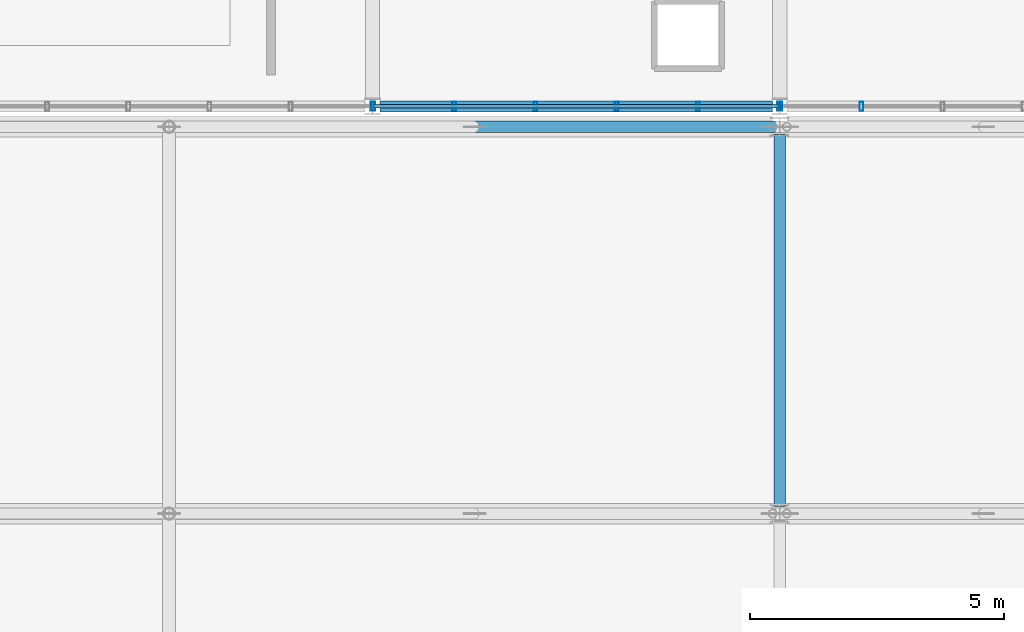
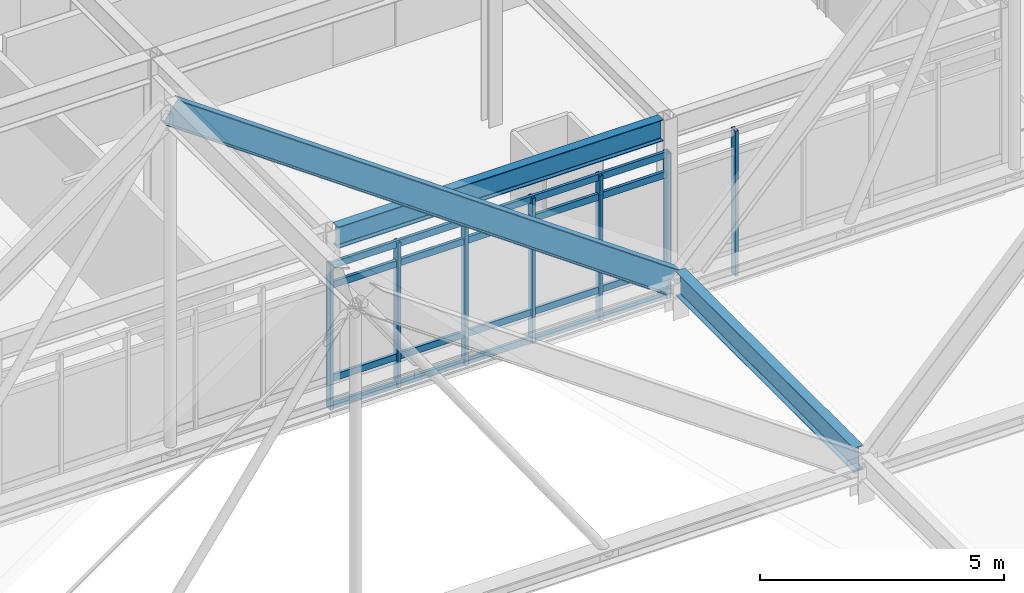
# One storey, part 59 of 100: 12 members, 3 beams, 2 elements without a shape of their own.
"""IFC4 building model written with IfcOpenShell, lengths in metres."""

import ifcopenshell
import ifcopenshell.guid

model = None  # the IFC model being written
_history = None  # IfcOwnerHistory: only IFC2X3 demands one
_inside = {}  # id of a spatial element -> (the spatial element, [elements in it])
_under = {}  # id of a project, library or spatial element -> (it, [spatial elements below it])
_declared = {}  # id of a project -> (the project, [libraries it declares])
_typed = {}  # id of a type object -> (the type object, [elements of that type])
_made_of = {}  # id of a material, layer set ... -> (it, [elements and type objects made of it])


def new_model(schema):
    """Start an empty IFC model of exactly this schema.

    Asked for "IFC4X3", IfcOpenShell would pick the latest addendum, in which some entities
    have other attributes; the version numbers below select the first issue.
    IFC2X3 requires an IfcOwnerHistory on every rooted entity: one is made here for all.
    """
    global model, _history
    if schema == "IFC4X3":
        model = ifcopenshell.file(schema_version=(4, 3, 0, 0))
    else:
        model = ifcopenshell.file(schema=schema)
    _inside.clear()
    _under.clear()
    _declared.clear()
    _typed.clear()
    _made_of.clear()
    _history = None
    if model.schema == "IFC2X3":
        org = make("IfcOrganization", Name="unknown")
        user = make(
            "IfcPersonAndOrganization",
            ThePerson=make("IfcPerson", FamilyName="unknown"),
            TheOrganization=org,
        )
        app = make(
            "IfcApplication",
            ApplicationDeveloper=org,
            Version="unknown",
            ApplicationFullName="unknown",
            ApplicationIdentifier="unknown",
        )
        _history = make(
            "IfcOwnerHistory",
            OwningUser=user,
            OwningApplication=app,
            ChangeAction="ADDED",
            CreationDate=0,
        )
    return model


def make(cls, **values):
    """One entity of the class cls with the attributes given. An attribute that is None is left unset."""
    return model.create_entity(
        cls, **{name: value for name, value in values.items() if value is not None}
    )


def rooted(cls, **values):
    """An entity with a GlobalId (a new one), such as an element, a storey or a relation."""
    return make(cls, GlobalId=ifcopenshell.guid.new(), OwnerHistory=_history, **values)


def si_unit(unit_type, name, prefix=None):
    """IfcSIUnit, for example si_unit("LENGTHUNIT", "METRE", prefix="MILLI")."""
    return make("IfcSIUnit", UnitType=unit_type, Prefix=prefix, Name=name)


def assignment(units):
    """IfcUnitAssignment: the units of a project."""
    return None if units is None else make("IfcUnitAssignment", Units=units)


def point(xyz):
    """IfcCartesianPoint."""
    return None if xyz is None else make("IfcCartesianPoint", Coordinates=xyz)


def direction(xyz):
    """IfcDirection."""
    return None if xyz is None else make("IfcDirection", DirectionRatios=xyz)


def frame(location, z_axis=None, x_axis=None):
    """IfcAxis2Placement3D, a coordinate frame: its origin and axes. An axis left out is left unset."""
    return make(
        "IfcAxis2Placement3D",
        Location=point(location),
        Axis=direction(z_axis),
        RefDirection=direction(x_axis),
    )


def frame_2d(location, x_axis=None):
    """IfcAxis2Placement2D, a coordinate frame in the plane: its origin and x axis."""
    return make(
        "IfcAxis2Placement2D", Location=point(location), RefDirection=direction(x_axis)
    )


def origin():
    """The frame at (0, 0, 0) with its axes left unset."""
    return frame((0.0, 0.0, 0.0))


def origin_2d():
    """The frame at (0, 0) in the plane with its x axis left unset."""
    return frame_2d((0.0, 0.0))


def place(relative_to, where):
    """IfcLocalPlacement: puts the frame where relative to a parent placement (None: the world)."""
    return make(
        "IfcLocalPlacement", PlacementRelTo=relative_to, RelativePlacement=where
    )


def context(
    kind, dimensions, precision=None, world=None, true_north=None, identifier=None
):
    """IfcGeometricRepresentationContext, for example the 3D "Model" context."""
    return make(
        "IfcGeometricRepresentationContext",
        ContextIdentifier=identifier,
        ContextType=kind,
        CoordinateSpaceDimension=dimensions,
        Precision=precision,
        WorldCoordinateSystem=world,
        TrueNorth=true_north,
    )


def subcontext(parent, identifier, kind, view, scale=None):
    """IfcGeometricRepresentationSubContext, for example "Body" below "Model"."""
    return make(
        "IfcGeometricRepresentationSubContext",
        ContextIdentifier=identifier,
        ContextType=kind,
        ParentContext=parent,
        TargetScale=scale,
        TargetView=view,
    )


def project(units=None, contexts=None):
    """IfcProject with its units and contexts."""
    return rooted(
        "IfcProject",
        Name="project",
        RepresentationContexts=contexts,
        UnitsInContext=assignment(units),
    )


def spatial(cls, under=None, at=None, **own):
    """A site, building, storey or space (cls), placed at a placement, below another one or the project."""
    s = rooted(cls, ObjectPlacement=at, **own)
    if under is not None:
        _under.setdefault(under.id(), (under, []))[1].append(s)
    return s


def profile(cls, at=None, kind="AREA", **sizes):
    """A parametric profile (cls). Its sizes go by their IFC names, for example OverallWidth=200.0."""
    return make(cls, ProfileType=kind, Position=at, **sizes)


def hollow_rectangle(**sizes):
    """IfcRectangleHollowProfileDef."""
    return profile("IfcRectangleHollowProfileDef", **sizes)


def i_section(**sizes):
    """IfcIShapeProfileDef."""
    return profile("IfcIShapeProfileDef", **sizes)


def extrude(swept, where, along, depth):
    """IfcExtrudedAreaSolid: the profile swept, set in the frame where, extruded along a direction by depth."""
    return make(
        "IfcExtrudedAreaSolid",
        SweptArea=swept,
        Position=where,
        ExtrudedDirection=direction(along),
        Depth=depth,
    )


def shape(context_of_items, identifier, shape_type, items):
    """IfcShapeRepresentation: the items that make up one representation, for example the "Body"."""
    return make(
        "IfcShapeRepresentation",
        ContextOfItems=context_of_items,
        RepresentationIdentifier=identifier,
        RepresentationType=shape_type,
        Items=items,
    )


def material(Name=None, Category=None):
    """IfcMaterial."""
    return make("IfcMaterial", Name=Name, Category=Category)


def material_profile(
    of_material, cross_section, Name=None, Category=None, Priority=None
):
    """IfcMaterialProfile: a cross section and its material."""
    return make(
        "IfcMaterialProfile",
        Name=Name,
        Material=of_material,
        Profile=cross_section,
        Priority=Priority,
        Category=Category,
    )


def profile_set(profiles, Name=None, composite=None):
    """IfcMaterialProfileSet."""
    return make(
        "IfcMaterialProfileSet",
        Name=Name,
        MaterialProfiles=profiles,
        CompositeProfile=composite,
    )


def made_of(thing, what):
    """Note that an element or type object is made of a material, layer set ...; save() writes the relation."""
    if what is not None:
        _made_of.setdefault(what.id(), (what, []))[1].append(thing)
    return thing


def type_object(cls, material=None, **own):
    """A type object (cls), such as IfcWallType, which elements share."""
    return made_of(rooted(cls, **own), material)


def element(
    cls,
    number,
    at=None,
    inside=None,
    cuts=None,
    type_object=None,
    material=None,
    context=None,
    identifier="Body",
    shape_type=None,
    held_by="IfcProductDefinitionShape",
    body=None,
    shapes=None,
    **own,
):
    """One element of the class cls, such as IfcWall. Its Tag is "e" and its number.

    at: its placement. inside: the storey or other place that contains it. cuts: it is an
    opening in that element (IfcRelVoidsElement). A single representation is given by context,
    identifier, shape_type and body (its items); several are given by shapes. held_by: the class
    of the entity that holds the representations. save() writes the other relations.
    """
    e = rooted(cls, Tag="e%d" % number, ObjectPlacement=at, **own)
    if body is not None:
        shapes = [shape(context, identifier, shape_type, body)]
    if shapes is not None:
        e.Representation = make(held_by, Representations=shapes)
    if inside is not None:
        _inside.setdefault(inside.id(), (inside, []))[1].append(e)
    if cuts is not None:
        rooted(
            "IfcRelVoidsElement", RelatingBuildingElement=cuts, RelatedOpeningElement=e
        )
    if type_object is not None:
        _typed.setdefault(type_object.id(), (type_object, []))[1].append(e)
    return made_of(e, material)


def aggregate(whole, parts):
    """IfcRelAggregates: a whole, such as a stair, and the parts it consists of."""
    return rooted("IfcRelAggregates", RelatingObject=whole, RelatedObjects=parts)


def save(model, path):
    """Write the relations noted so far, then the file.

    IfcRelAggregates (storeys below a building ...), IfcRelContainedInSpatialStructure (elements
    in a storey), IfcRelDefinesByType, IfcRelAssociatesMaterial and IfcRelDeclares: one each for
    every whole, place, type object, material and project.
    """
    for whole, parts in _under.values():
        aggregate(whole, parts)
    for where, things in _inside.values():
        rooted(
            "IfcRelContainedInSpatialStructure",
            RelatedElements=things,
            RelatingStructure=where,
        )
    for kind, things in _typed.values():
        rooted("IfcRelDefinesByType", RelatedObjects=things, RelatingType=kind)
    for what, things in _made_of.values():
        rooted("IfcRelAssociatesMaterial", RelatedObjects=things, RelatingMaterial=what)
    for by, libraries in _declared.values():
        rooted("IfcRelDeclares", RelatingContext=by, RelatedDefinitions=libraries)
    model.write(path)


model = new_model("IFC4")

# Units and contexts
model_context = context("Model", 3, precision=1e-05, world=origin(), true_north=direction((0.0, 1.0)))
body_context = subcontext(model_context, "Body", "Model", "MODEL_VIEW")
ifc_project = project(units=[si_unit("LENGTHUNIT", "METRE"), si_unit("AREAUNIT", "SQUARE_METRE"), si_unit("VOLUMEUNIT", "CUBIC_METRE"), si_unit("PLANEANGLEUNIT", "RADIAN"), si_unit("MASSUNIT", "GRAM", prefix="KILO")], contexts=[model_context])

# Site, building, storey
site_placement = place(None, origin())
site = spatial("IfcSite", under=ifc_project, at=site_placement, CompositionType="ELEMENT")
building_placement = place(site_placement, origin())
building = spatial("IfcBuilding", under=site, at=building_placement, Name="Zulena Civic Courthouse", CompositionType="ELEMENT")
storey_placement = place(building_placement, frame((0.0, 0.0, 20.39990234375)))
storey = spatial("IfcBuildingStorey", under=building, at=storey_placement, Name="L04", CompositionType="ELEMENT", Elevation=20.39990234375)

# Curtain wall, members
ifc_material_1 = material(Name="Double-silver low-E laminated solar-control glass", Category="glass")
curtain_wall_type = type_object("IfcCurtainWallType", Name="CW_7976x3635", PredefinedType="USERDEFINED", material=ifc_material_1)
curtain_wall_1_placement = place(storey_placement, origin())
curtain_wall_1 = element("IfcCurtainWall", 1, at=curtain_wall_1_placement, inside=storey, type_object=curtain_wall_type, Name="cw:V3:L04:3:0", ObjectType="UNITISED CURTAIN WALL", PredefinedType="USERDEFINED")
ifc_material_2 = material(Name="Bronze anodised thermally broken aluminium AA6063-T6", Category="aluminium")
ifc_material_profile_1 = material_profile(ifc_material_2, hollow_rectangle(XDim=0.074951171875, YDim=0.179931640625, WallThickness=0.0048828125, at=origin_2d()), Name="CWM180X75X5")
ifc_profile_set_1 = profile_set([ifc_material_profile_1], Name="Bronze anodised thermally broken aluminium AA6063-T6")
member_type_1 = type_object("IfcMemberType", Name="CWMullion_180x75", PredefinedType="MULLION", material=ifc_profile_set_1)
member_1_placement = place(storey_placement, frame((157.607177734375, 30.800048828125, 0.0), z_axis=(0.0, 0.0, 1.0), x_axis=(1.0, 0.0, 0.0)))
member_1 = element("IfcMember", 2, at=member_1_placement, type_object=member_type_1, Name="cw:V3:L04:3:0:mull:4", PredefinedType="MULLION", context=body_context, shape_type="SweptSolid", body=[
    extrude(hollow_rectangle(XDim=0.074951171875, YDim=0.179931640625, WallThickness=0.0048828125, at=origin_2d()), origin(), (0.0, 0.0, 1.0), 3.635009765625),
])
member_2_placement = place(storey_placement, frame((156.011962890625, 30.800048828125, 0.0), z_axis=(0.0, 0.0, 1.0), x_axis=(1.0, 0.0, 0.0)))
member_2 = element("IfcMember", 3, at=member_2_placement, type_object=member_type_1, Name="cw:V3:L04:3:0:mull:5", PredefinedType="MULLION", context=body_context, shape_type="SweptSolid", body=[
    extrude(hollow_rectangle(XDim=0.074951171875, YDim=0.179931640625, WallThickness=0.0048828125, at=origin_2d()), origin(), (0.0, 0.0, 1.0), 3.635009765625),
])
aggregate(curtain_wall_1, [member_1, member_2])

curtain_wall_2_placement = place(storey_placement, origin())
curtain_wall_2 = element("IfcCurtainWall", 4, at=curtain_wall_2_placement, inside=storey, type_object=curtain_wall_type, Name="cw:V3:L04:3:1", ObjectType="UNITISED CURTAIN WALL", PredefinedType="USERDEFINED")
member_3_placement = place(storey_placement, frame((155.988037109375, 30.800048828125, 0.0), z_axis=(0.0, 0.0, 1.0), x_axis=(1.0, 0.0, 0.0)))
member_3 = element("IfcMember", 5, at=member_3_placement, type_object=member_type_1, Name="cw:V3:L04:3:1:mull:0", PredefinedType="MULLION", context=body_context, shape_type="SweptSolid", body=[
    extrude(hollow_rectangle(XDim=0.074951171875, YDim=0.179931640625, WallThickness=0.0048828125, at=origin_2d()), origin(), (0.0, 0.0, 1.0), 3.635009765625),
])
member_4_placement = place(storey_placement, frame((154.392822265625, 30.800048828125, 0.0), z_axis=(0.0, 0.0, 1.0), x_axis=(1.0, 0.0, 0.0)))
member_4 = element("IfcMember", 6, at=member_4_placement, type_object=member_type_1, Name="cw:V3:L04:3:1:mull:1", PredefinedType="MULLION", context=body_context, shape_type="SweptSolid", body=[
    extrude(hollow_rectangle(XDim=0.074951171875, YDim=0.179931640625, WallThickness=0.0048828125, at=origin_2d()), origin(), (0.0, 0.0, 1.0), 3.635009765625),
])
member_5_placement = place(storey_placement, frame((152.797607421875, 30.800048828125, 0.0), z_axis=(0.0, 0.0, 1.0), x_axis=(1.0, 0.0, 0.0)))
member_5 = element("IfcMember", 7, at=member_5_placement, type_object=member_type_1, Name="cw:V3:L04:3:1:mull:2", PredefinedType="MULLION", context=body_context, shape_type="SweptSolid", body=[
    extrude(hollow_rectangle(XDim=0.074951171875, YDim=0.179931640625, WallThickness=0.0048828125, at=origin_2d()), origin(), (0.0, 0.0, 1.0), 3.635009765625),
])
member_6_placement = place(storey_placement, frame((151.202392578125, 30.800048828125, 0.0), z_axis=(0.0, 0.0, 1.0), x_axis=(1.0, 0.0, 0.0)))
member_6 = element("IfcMember", 8, at=member_6_placement, type_object=member_type_1, Name="cw:V3:L04:3:1:mull:3", PredefinedType="MULLION", context=body_context, shape_type="SweptSolid", body=[
    extrude(hollow_rectangle(XDim=0.074951171875, YDim=0.179931640625, WallThickness=0.0048828125, at=origin_2d()), origin(), (0.0, 0.0, 1.0), 3.635009765625),
])
member_7_placement = place(storey_placement, frame((149.607177734375, 30.800048828125, 0.0), z_axis=(0.0, 0.0, 1.0), x_axis=(1.0, 0.0, 0.0)))
member_7 = element("IfcMember", 9, at=member_7_placement, type_object=member_type_1, Name="cw:V3:L04:3:1:mull:4", PredefinedType="MULLION", context=body_context, shape_type="SweptSolid", body=[
    extrude(hollow_rectangle(XDim=0.074951171875, YDim=0.179931640625, WallThickness=0.0048828125, at=origin_2d()), origin(), (0.0, 0.0, 1.0), 3.635009765625),
])
member_8_placement = place(storey_placement, frame((148.011962890625, 30.800048828125, 0.0), z_axis=(0.0, 0.0, 1.0), x_axis=(1.0, 0.0, 0.0)))
member_8 = element("IfcMember", 10, at=member_8_placement, type_object=member_type_1, Name="cw:V3:L04:3:1:mull:5", PredefinedType="MULLION", context=body_context, shape_type="SweptSolid", body=[
    extrude(hollow_rectangle(XDim=0.074951171875, YDim=0.179931640625, WallThickness=0.0048828125, at=origin_2d()), origin(), (0.0, 0.0, 1.0), 3.635009765625),
])
ifc_material_profile_2 = material_profile(ifc_material_2, hollow_rectangle(XDim=0.070068359375, YDim=0.1650390625, WallThickness=0.00390625, at=origin_2d()), Name="CWT165X70X4")
ifc_profile_set_2 = profile_set([ifc_material_profile_2], Name="Bronze anodised thermally broken aluminium AA6063-T6")
member_type_2 = type_object("IfcMemberType", Name="CWTransom_165x70", PredefinedType="USERDEFINED", material=ifc_profile_set_2)
member_9_placement = place(storey_placement, frame((155.988037109375, 30.800048828125, 0.06005859375), z_axis=(-1.0, 0.0, 0.0), x_axis=(0.0, -1.0, 0.0)))
member_9 = element("IfcMember", 11, at=member_9_placement, type_object=member_type_2, Name="cw:V3:L04:3:1:tran:0", ObjectType="TRANSOM", PredefinedType="USERDEFINED", context=body_context, shape_type="SweptSolid", body=[
    extrude(hollow_rectangle(XDim=0.070068359375, YDim=0.1650390625, WallThickness=0.00390625, at=origin_2d()), origin(), (0.0, 0.0, 1.0), 7.97607421875),
])
member_10_placement = place(storey_placement, frame((155.988037109375, 30.800048828125, 0.75), z_axis=(-1.0, 0.0, 0.0), x_axis=(0.0, -1.0, 0.0)))
member_10 = element("IfcMember", 12, at=member_10_placement, type_object=member_type_2, Name="cw:V3:L04:3:1:tran:1", ObjectType="TRANSOM", PredefinedType="USERDEFINED", context=body_context, shape_type="SweptSolid", body=[
    extrude(hollow_rectangle(XDim=0.070068359375, YDim=0.1650390625, WallThickness=0.00390625, at=origin_2d()), origin(), (0.0, 0.0, 1.0), 7.97607421875),
])
member_11_placement = place(storey_placement, frame((155.988037109375, 30.800048828125, 3.085205078125), z_axis=(-1.0, 0.0, 0.0), x_axis=(0.0, -1.0, 0.0)))
member_11 = element("IfcMember", 13, at=member_11_placement, type_object=member_type_2, Name="cw:V3:L04:3:1:tran:2", ObjectType="TRANSOM", PredefinedType="USERDEFINED", context=body_context, shape_type="SweptSolid", body=[
    extrude(hollow_rectangle(XDim=0.070068359375, YDim=0.1650390625, WallThickness=0.00390625, at=origin_2d()), origin(), (0.0, 0.0, 1.0), 7.97607421875),
])
member_12_placement = place(storey_placement, frame((155.988037109375, 30.800048828125, 3.5751953125), z_axis=(-1.0, 0.0, 0.0), x_axis=(0.0, -1.0, 0.0)))
member_12 = element("IfcMember", 14, at=member_12_placement, type_object=member_type_2, Name="cw:V3:L04:3:1:tran:3", ObjectType="TRANSOM", PredefinedType="USERDEFINED", context=body_context, shape_type="SweptSolid", body=[
    extrude(hollow_rectangle(XDim=0.070068359375, YDim=0.1650390625, WallThickness=0.00390625, at=origin_2d()), origin(), (0.0, 0.0, 1.0), 7.97607421875),
])
aggregate(curtain_wall_2, [member_3, member_4, member_5, member_6, member_7, member_8, member_9, member_10, member_11, member_12])

# Beams
ifc_material_3 = material(Name="Steel ASTM A992 Grade 50", Category="steel")
ifc_material_profile_3 = material_profile(ifc_material_3, i_section(OverallWidth=0.22802734375, OverallDepth=0.60693359375, WebThickness=0.01123046875, FlangeThickness=0.017333984375, FilletRadius=0.0126953125, at=origin_2d()), Name="W24X76")
ifc_profile_set_3 = profile_set([ifc_material_profile_3], Name="Steel ASTM A992 Grade 50")
beam_type_1 = type_object("IfcBeamType", Name="RoofRafter_W24X76", PredefinedType="BEAM", material=ifc_profile_set_3)
beam_1_placement = place(storey_placement, frame((144.010009765625, 30.39990234375, 9.096435546875), z_axis=(0.815826895682, 0.0, -0.578296183873), x_axis=(0.0, 1.0, 0.0)))
element("IfcBeam", 15, at=beam_1_placement, inside=storey, type_object=beam_type_1, Name="beam:fold:rafE:06:30.4", PredefinedType="BEAM", context=body_context, shape_type="SweptSolid", body=[
    extrude(i_section(OverallWidth=0.22802734375, OverallDepth=0.60693359375, WebThickness=0.01123046875, FlangeThickness=0.017333984375, FilletRadius=0.0126953125, at=origin_2d()), origin(), (0.0, 0.0, 1.0), 14.525146484375),
])
beam_2_placement = place(storey_placement, frame((156.0, 22.93994140625, 0.696533203125), z_axis=(0.0, 1.0, 0.0), x_axis=(-1.0, 0.0, 0.0)))
element("IfcBeam", 16, at=beam_2_placement, inside=storey, type_object=beam_type_1, Name="beam:fold:val:L04:156.0:22.8", PredefinedType="BEAM", context=body_context, shape_type="SweptSolid", body=[
    extrude(i_section(OverallWidth=0.22802734375, OverallDepth=0.60693359375, WebThickness=0.01123046875, FlangeThickness=0.017333984375, FilletRadius=0.0126953125, at=origin_2d()), origin(), (0.0, 0.0, 1.0), 7.320068359375),
])
ifc_material_profile_4 = material_profile(ifc_material_3, i_section(OverallWidth=0.2099609375, OverallDepth=0.537109375, WebThickness=0.010986328125, FlangeThickness=0.017333984375, FilletRadius=0.0126953125, at=origin_2d()), Name="W21X68")
ifc_profile_set_4 = profile_set([ifc_material_profile_4], Name="Steel ASTM A992 Grade 50")
beam_type_2 = type_object("IfcBeamType", Name="Spandrel_W21X68", PredefinedType="SPANDREL", material=ifc_profile_set_4)
beam_3_placement = place(storey_placement, frame((148.14501953125, 30.800048828125, 4.276611328125), z_axis=(1.0, 0.0, 0.0), x_axis=(0.0, 1.0, 0.0)))
element("IfcBeam", 17, at=beam_3_placement, inside=storey, type_object=beam_type_2, Name="beam:X:V3:L04:30.8:148.0_156.0", PredefinedType="SPANDREL", context=body_context, shape_type="SweptSolid", body=[
    extrude(i_section(OverallWidth=0.2099609375, OverallDepth=0.537109375, WebThickness=0.010986328125, FlangeThickness=0.017333984375, FilletRadius=0.0126953125, at=origin_2d()), origin(), (0.0, 0.0, 1.0), 7.7099609375),
])

save(model, "model.ifc")
